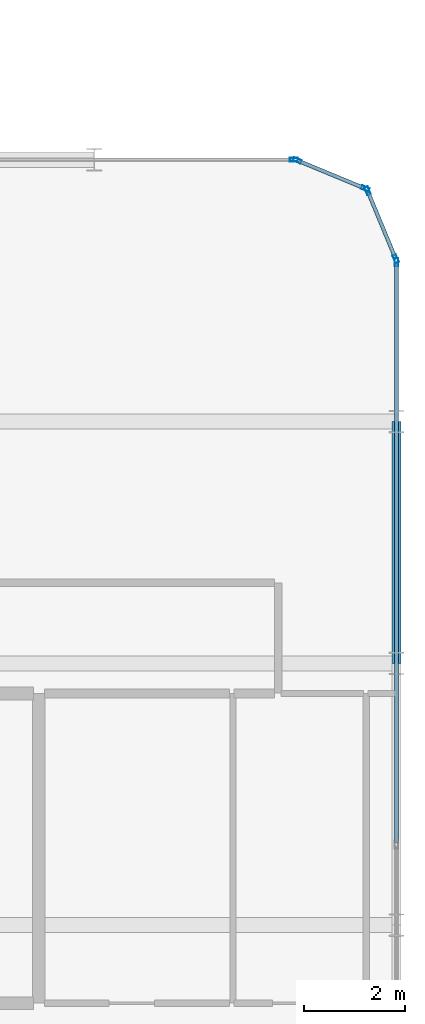
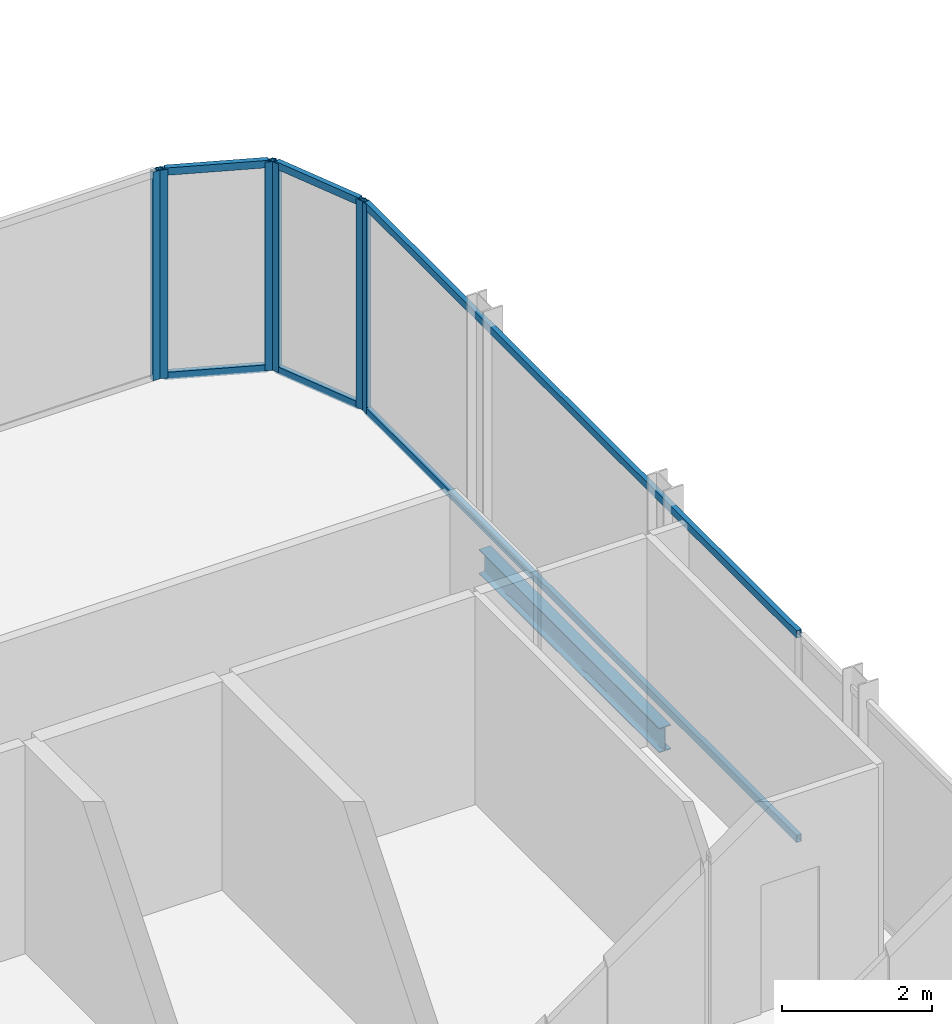
# One storey, part 15 of 29: 12 members, 1 beam, 4 elements without a shape of their own.
"""IFC4 building model written with IfcOpenShell, lengths in metres."""

from ifc_helpers import new_model, si_unit, direction, frame, origin, origin_2d, place, context, subcontext, project, spatial, hollow_rectangle, i_section, extrude, material, layer, layer_set, material_profile, profile_set, type_object, element, aggregate, save


model = new_model("IFC4")

# Units and contexts
model_context = context("Model", 3, precision=1e-05, world=origin(), true_north=direction((0.0, 1.0)))
body_context = subcontext(model_context, "Body", "Model", "MODEL_VIEW")
ifc_project = project(units=[si_unit("LENGTHUNIT", "METRE"), si_unit("AREAUNIT", "SQUARE_METRE"), si_unit("VOLUMEUNIT", "CUBIC_METRE"), si_unit("PLANEANGLEUNIT", "RADIAN"), si_unit("MASSUNIT", "GRAM", prefix="KILO")], contexts=[model_context])

# Site, building, storey
site_placement = place(None, origin())
site = spatial("IfcSite", under=ifc_project, at=site_placement, CompositionType="ELEMENT")
building_placement = place(site_placement, origin())
building = spatial("IfcBuilding", under=site, at=building_placement, Name="Keshet Zoharim Tower", CompositionType="ELEMENT")
storey_placement = place(building_placement, frame((0.0, 0.0, 176.5)))
storey = spatial("IfcBuildingStorey", under=building, at=storey_placement, Name="L43", CompositionType="ELEMENT", Elevation=176.5)

# Beam
ifc_material_1 = material(Name="Steel S355", Category="steel")
ifc_material_profile_1 = material_profile(ifc_material_1, i_section(OverallWidth=0.179931640625, OverallDepth=0.39990234375, WebThickness=0.008544921875, FlangeThickness=0.013427734375, FilletRadius=0.02099609375, at=origin_2d()), Name="IPE400")
ifc_profile_set_1 = profile_set([ifc_material_profile_1], Name="Steel S355")
beam_type = type_object("IfcBeamType", Name="BM-PRI-IP400", PredefinedType="BEAM", material=ifc_profile_set_1)
beam_placement = place(storey_placement, frame((57.0, 17.89990234375, -0.510009765625), z_axis=(0.0, 1.0, 0.0), x_axis=(-1.0, 0.0, 0.0)))
element("IfcBeam", 1, at=beam_placement, inside=storey, type_object=beam_type, Name="L43 Primary Girder Y-015", PredefinedType="BEAM", context=body_context, shape_type="SweptSolid", body=[
    extrude(i_section(OverallWidth=0.179931640625, OverallDepth=0.39990234375, WebThickness=0.008544921875, FlangeThickness=0.013427734375, FilletRadius=0.02099609375, at=origin_2d()), origin(), (0.0, 0.0, 1.0), 4.800048828125),
])

# Curtain wall, members
ifc_material_2 = material(Name="Aluminium 6063-T6", Category="aluminium")
ifc_layer = layer(ifc_material_2, 0.139892578125)
ifc_layer_set = layer_set([ifc_layer], Name="Aluminium 6063-T6")
curtain_wall_type = type_object("IfcCurtainWallType", Name="CW-SYS-05", PredefinedType="NOTDEFINED", material=ifc_layer_set)
curtain_wall_1_placement = place(storey_placement, origin())
curtain_wall_1 = element("IfcCurtainWall", 2, at=curtain_wall_1_placement, inside=storey, type_object=curtain_wall_type, Name="L43 Unitised Curtain Wall 01", PredefinedType="NOTDEFINED")
ifc_material_profile_2 = material_profile(ifc_material_2, hollow_rectangle(XDim=0.074951171875, YDim=0.159912109375, WallThickness=0.00390625, at=origin_2d()), Name="MUL-75x160")
ifc_profile_set_2 = profile_set([ifc_material_profile_2], Name="Aluminium 6063-T6")
member_type_1 = type_object("IfcMemberType", Name="CWM-M15", PredefinedType="MULLION", material=ifc_profile_set_2)
member_1_placement = place(storey_placement, frame((55.0322265625, 27.88671875, 0.0), z_axis=(0.0, 0.0, 1.0), x_axis=(0.382851849847, 0.92380975372, 0.0)))
member_1 = element("IfcMember", 3, at=member_1_placement, type_object=member_type_1, Name="CW-05 mullion 1", PredefinedType="MULLION", context=body_context, shape_type="SweptSolid", body=[
    extrude(hollow_rectangle(XDim=0.074951171875, YDim=0.159912109375, WallThickness=0.00390625, at=origin_2d()), origin(), (0.0, 0.0, 1.0), 3.389892578125),
])
member_2_placement = place(storey_placement, frame((56.381591796875, 27.327392578125, 0.0), z_axis=(0.0, 0.0, 1.0), x_axis=(0.382851849847, 0.92380975372, 0.0)))
member_2 = element("IfcMember", 4, at=member_2_placement, type_object=member_type_1, Name="CW-05 mullion 2", PredefinedType="MULLION", context=body_context, shape_type="SweptSolid", body=[
    extrude(hollow_rectangle(XDim=0.074951171875, YDim=0.159912109375, WallThickness=0.00390625, at=origin_2d()), origin(), (0.0, 0.0, 1.0), 3.389892578125),
])

curtain_wall_2_placement = place(storey_placement, origin())
curtain_wall_2 = element("IfcCurtainWall", 5, at=curtain_wall_2_placement, inside=storey, type_object=curtain_wall_type, Name="L43 Unitised Curtain Wall 02", PredefinedType="NOTDEFINED")
member_3_placement = place(storey_placement, frame((56.427490234375, 27.28173828125, 0.0), z_axis=(0.0, 0.0, 1.0), x_axis=(0.92380975372, 0.382851849847, 0.0)))
member_3 = element("IfcMember", 6, at=member_3_placement, type_object=member_type_1, Name="CW-05 mullion 1", PredefinedType="MULLION", context=body_context, shape_type="SweptSolid", body=[
    extrude(hollow_rectangle(XDim=0.074951171875, YDim=0.159912109375, WallThickness=0.00390625, at=origin_2d()), origin(), (0.0, 0.0, 1.0), 3.389892578125),
])
member_4_placement = place(storey_placement, frame((56.986572265625, 25.932373046875, 0.0), z_axis=(0.0, 0.0, 1.0), x_axis=(0.92380975372, 0.382851849847, 0.0)))
member_4 = element("IfcMember", 7, at=member_4_placement, type_object=member_type_1, Name="CW-05 mullion 2", PredefinedType="MULLION", context=body_context, shape_type="SweptSolid", body=[
    extrude(hollow_rectangle(XDim=0.074951171875, YDim=0.159912109375, WallThickness=0.00390625, at=origin_2d()), origin(), (0.0, 0.0, 1.0), 3.389892578125),
])

# Curtain wall, member
curtain_wall_3_placement = place(storey_placement, origin())
curtain_wall_3 = element("IfcCurtainWall", 8, at=curtain_wall_3_placement, inside=storey, type_object=curtain_wall_type, Name="L43 Unitised Curtain Wall 03", PredefinedType="NOTDEFINED")
member_5_placement = place(storey_placement, frame((57.0, 25.864990234375, 0.0), z_axis=(0.0, 0.0, 1.0), x_axis=(1.0, 0.0, 0.0)))
member_5 = element("IfcMember", 9, at=member_5_placement, type_object=member_type_1, Name="CW-05 mullion 1", PredefinedType="MULLION", context=body_context, shape_type="SweptSolid", body=[
    extrude(hollow_rectangle(XDim=0.074951171875, YDim=0.159912109375, WallThickness=0.00390625, at=origin_2d()), origin(), (0.0, 0.0, 1.0), 3.389892578125),
])

curtain_wall_4_placement = place(storey_placement, origin())
curtain_wall_4 = element("IfcCurtainWall", 10, at=curtain_wall_4_placement, inside=storey, type_object=curtain_wall_type, Name="L43 Unitised Curtain Wall 20 Part 2", PredefinedType="NOTDEFINED")
member_6_placement = place(storey_placement, frame((54.965087890625, 27.89990234375, 0.0), z_axis=(0.0, 0.0, 1.0), x_axis=(0.0, 1.0, 0.0)))
member_6 = element("IfcMember", 11, at=member_6_placement, type_object=member_type_1, Name="CW-05 mullion 2", PredefinedType="MULLION", context=body_context, shape_type="SweptSolid", body=[
    extrude(hollow_rectangle(XDim=0.074951171875, YDim=0.159912109375, WallThickness=0.00390625, at=origin_2d()), origin(), (0.0, 0.0, 1.0), 3.389892578125),
])
aggregate(curtain_wall_4, [member_6])

# Member
ifc_material_profile_3 = material_profile(ifc_material_2, hollow_rectangle(XDim=0.074951171875, YDim=0.1201171875, WallThickness=0.00390625, at=origin_2d()), Name="TRN-75x120")
ifc_profile_set_3 = profile_set([ifc_material_profile_3], Name="Aluminium 6063-T6")
member_type_2 = type_object("IfcMemberType", Name="CWT-T12", PredefinedType="USERDEFINED", material=ifc_profile_set_3)
member_7_placement = place(storey_placement, frame((55.064697265625, 27.873291015625, 0.034912109375), z_axis=(0.92379209995, -0.382894445076, 0.0), x_axis=(0.382894445076, 0.92379209995, 0.0)))
member_7 = element("IfcMember", 12, at=member_7_placement, type_object=member_type_2, Name="CW-05 transom 1.1", ObjectType="TRANSOM", PredefinedType="USERDEFINED", context=body_context, shape_type="SweptSolid", body=[
    extrude(hollow_rectangle(XDim=0.074951171875, YDim=0.1201171875, WallThickness=0.00390625, at=origin_2d()), origin(), (0.0, 0.0, 1.0), 1.390625),
])

member_8_placement = place(storey_placement, frame((55.064697265625, 27.873291015625, 3.35498046875), z_axis=(0.92379209995, -0.382894445076, 0.0), x_axis=(0.382894445076, 0.92379209995, 0.0)))
member_8 = element("IfcMember", 13, at=member_8_placement, type_object=member_type_2, Name="CW-05 transom 1.2", ObjectType="TRANSOM", PredefinedType="USERDEFINED", context=body_context, shape_type="SweptSolid", body=[
    extrude(hollow_rectangle(XDim=0.074951171875, YDim=0.1201171875, WallThickness=0.00390625, at=origin_2d()), origin(), (0.0, 0.0, 1.0), 1.390625),
])

aggregate(curtain_wall_1, [member_1, member_2, member_7, member_8])

member_9_placement = place(storey_placement, frame((56.44091796875, 27.249267578125, 0.034912109375), z_axis=(0.382744609247, -0.923854189844, 0.0), x_axis=(0.923854189844, 0.382744609247, 0.0)))
member_9 = element("IfcMember", 14, at=member_9_placement, type_object=member_type_2, Name="CW-05 transom 1.1", ObjectType="TRANSOM", PredefinedType="USERDEFINED", context=body_context, shape_type="SweptSolid", body=[
    extrude(hollow_rectangle(XDim=0.074951171875, YDim=0.1201171875, WallThickness=0.00390625, at=origin_2d()), origin(), (0.0, 0.0, 1.0), 1.390625),
])

member_10_placement = place(storey_placement, frame((56.44091796875, 27.249267578125, 3.35498046875), z_axis=(0.382744609247, -0.923854189844, 0.0), x_axis=(0.923854189844, 0.382744609247, 0.0)))
member_10 = element("IfcMember", 15, at=member_10_placement, type_object=member_type_2, Name="CW-05 transom 1.2", ObjectType="TRANSOM", PredefinedType="USERDEFINED", context=body_context, shape_type="SweptSolid", body=[
    extrude(hollow_rectangle(XDim=0.074951171875, YDim=0.1201171875, WallThickness=0.00390625, at=origin_2d()), origin(), (0.0, 0.0, 1.0), 1.390625),
])

aggregate(curtain_wall_2, [member_3, member_4, member_9, member_10])

member_11_placement = place(storey_placement, frame((57.0, 25.830078125, 0.034912109375), z_axis=(0.0, -1.0, 0.0), x_axis=(1.0, 0.0, 0.0)))
member_11 = element("IfcMember", 16, at=member_11_placement, type_object=member_type_2, Name="CW-05 transom 1.1", ObjectType="TRANSOM", PredefinedType="USERDEFINED", context=body_context, shape_type="SweptSolid", body=[
    extrude(hollow_rectangle(XDim=0.074951171875, YDim=0.1201171875, WallThickness=0.00390625, at=origin_2d()), origin(), (0.0, 0.0, 1.0), 11.4951171875),
])

member_12_placement = place(storey_placement, frame((57.0, 25.830078125, 3.35498046875), z_axis=(0.0, -1.0, 0.0), x_axis=(1.0, 0.0, 0.0)))
member_12 = element("IfcMember", 17, at=member_12_placement, type_object=member_type_2, Name="CW-05 transom 1.2", ObjectType="TRANSOM", PredefinedType="USERDEFINED", context=body_context, shape_type="SweptSolid", body=[
    extrude(hollow_rectangle(XDim=0.074951171875, YDim=0.1201171875, WallThickness=0.00390625, at=origin_2d()), origin(), (0.0, 0.0, 1.0), 11.4951171875),
])

aggregate(curtain_wall_3, [member_5, member_11, member_12])

save(model, "model.ifc")
